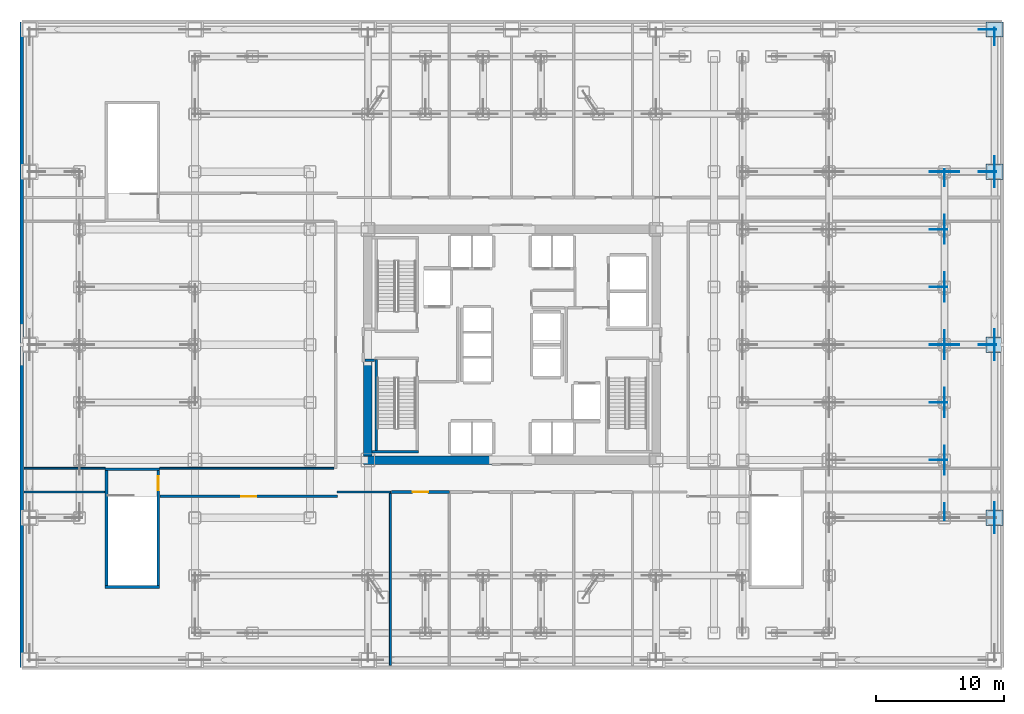
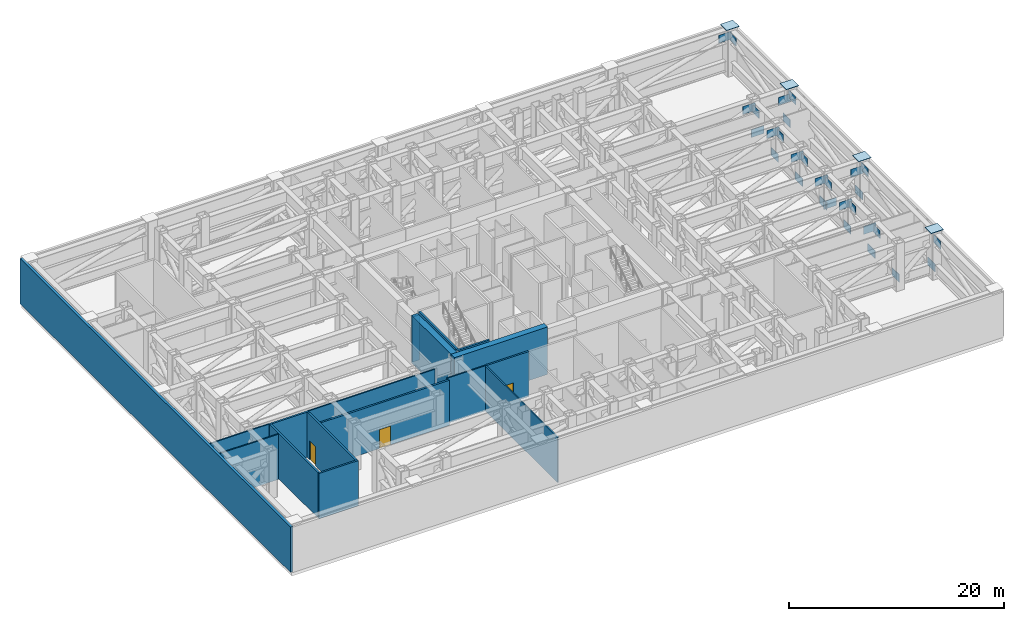
# One storey, part 9 of 17: 34 plates, 17 walls, 3 doors, 3 openings.
"""IFC4 building model written with IfcOpenShell, lengths in metres."""

import ifcopenshell
import ifcopenshell.guid

model = None  # the IFC model being written
_history = None  # IfcOwnerHistory: only IFC2X3 demands one
_inside = {}  # id of a spatial element -> (the spatial element, [elements in it])
_under = {}  # id of a project, library or spatial element -> (it, [spatial elements below it])
_declared = {}  # id of a project -> (the project, [libraries it declares])
_typed = {}  # id of a type object -> (the type object, [elements of that type])
_made_of = {}  # id of a material, layer set ... -> (it, [elements and type objects made of it])


def new_model(schema):
    """Start an empty IFC model of exactly this schema.

    Asked for "IFC4X3", IfcOpenShell would pick the latest addendum, in which some entities
    have other attributes; the version numbers below select the first issue.
    IFC2X3 requires an IfcOwnerHistory on every rooted entity: one is made here for all.
    """
    global model, _history
    if schema == "IFC4X3":
        model = ifcopenshell.file(schema_version=(4, 3, 0, 0))
    else:
        model = ifcopenshell.file(schema=schema)
    _inside.clear()
    _under.clear()
    _declared.clear()
    _typed.clear()
    _made_of.clear()
    _history = None
    if model.schema == "IFC2X3":
        org = make("IfcOrganization", Name="unknown")
        user = make(
            "IfcPersonAndOrganization",
            ThePerson=make("IfcPerson", FamilyName="unknown"),
            TheOrganization=org,
        )
        app = make(
            "IfcApplication",
            ApplicationDeveloper=org,
            Version="unknown",
            ApplicationFullName="unknown",
            ApplicationIdentifier="unknown",
        )
        _history = make(
            "IfcOwnerHistory",
            OwningUser=user,
            OwningApplication=app,
            ChangeAction="ADDED",
            CreationDate=0,
        )
    return model


def make(cls, **values):
    """One entity of the class cls with the attributes given. An attribute that is None is left unset."""
    return model.create_entity(
        cls, **{name: value for name, value in values.items() if value is not None}
    )


def rooted(cls, **values):
    """An entity with a GlobalId (a new one), such as an element, a storey or a relation."""
    return make(cls, GlobalId=ifcopenshell.guid.new(), OwnerHistory=_history, **values)


def si_unit(unit_type, name, prefix=None):
    """IfcSIUnit, for example si_unit("LENGTHUNIT", "METRE", prefix="MILLI")."""
    return make("IfcSIUnit", UnitType=unit_type, Prefix=prefix, Name=name)


def assignment(units):
    """IfcUnitAssignment: the units of a project."""
    return None if units is None else make("IfcUnitAssignment", Units=units)


def point(xyz):
    """IfcCartesianPoint."""
    return None if xyz is None else make("IfcCartesianPoint", Coordinates=xyz)


def direction(xyz):
    """IfcDirection."""
    return None if xyz is None else make("IfcDirection", DirectionRatios=xyz)


def frame(location, z_axis=None, x_axis=None):
    """IfcAxis2Placement3D, a coordinate frame: its origin and axes. An axis left out is left unset."""
    return make(
        "IfcAxis2Placement3D",
        Location=point(location),
        Axis=direction(z_axis),
        RefDirection=direction(x_axis),
    )


def frame_2d(location, x_axis=None):
    """IfcAxis2Placement2D, a coordinate frame in the plane: its origin and x axis."""
    return make(
        "IfcAxis2Placement2D", Location=point(location), RefDirection=direction(x_axis)
    )


def origin():
    """The frame at (0, 0, 0) with its axes left unset."""
    return frame((0.0, 0.0, 0.0))


def origin_2d():
    """The frame at (0, 0) in the plane with its x axis left unset."""
    return frame_2d((0.0, 0.0))


def place(relative_to, where):
    """IfcLocalPlacement: puts the frame where relative to a parent placement (None: the world)."""
    return make(
        "IfcLocalPlacement", PlacementRelTo=relative_to, RelativePlacement=where
    )


def context(
    kind, dimensions, precision=None, world=None, true_north=None, identifier=None
):
    """IfcGeometricRepresentationContext, for example the 3D "Model" context."""
    return make(
        "IfcGeometricRepresentationContext",
        ContextIdentifier=identifier,
        ContextType=kind,
        CoordinateSpaceDimension=dimensions,
        Precision=precision,
        WorldCoordinateSystem=world,
        TrueNorth=true_north,
    )


def subcontext(parent, identifier, kind, view, scale=None):
    """IfcGeometricRepresentationSubContext, for example "Body" below "Model"."""
    return make(
        "IfcGeometricRepresentationSubContext",
        ContextIdentifier=identifier,
        ContextType=kind,
        ParentContext=parent,
        TargetScale=scale,
        TargetView=view,
    )


def project(units=None, contexts=None):
    """IfcProject with its units and contexts."""
    return rooted(
        "IfcProject",
        Name="project",
        RepresentationContexts=contexts,
        UnitsInContext=assignment(units),
    )


def spatial(cls, under=None, at=None, **own):
    """A site, building, storey or space (cls), placed at a placement, below another one or the project."""
    s = rooted(cls, ObjectPlacement=at, **own)
    if under is not None:
        _under.setdefault(under.id(), (under, []))[1].append(s)
    return s


def profile(cls, at=None, kind="AREA", **sizes):
    """A parametric profile (cls). Its sizes go by their IFC names, for example OverallWidth=200.0."""
    return make(cls, ProfileType=kind, Position=at, **sizes)


def rectangle(**sizes):
    """IfcRectangleProfileDef."""
    return profile("IfcRectangleProfileDef", **sizes)


def extrude(swept, where, along, depth):
    """IfcExtrudedAreaSolid: the profile swept, set in the frame where, extruded along a direction by depth."""
    return make(
        "IfcExtrudedAreaSolid",
        SweptArea=swept,
        Position=where,
        ExtrudedDirection=direction(along),
        Depth=depth,
    )


def shape(context_of_items, identifier, shape_type, items):
    """IfcShapeRepresentation: the items that make up one representation, for example the "Body"."""
    return make(
        "IfcShapeRepresentation",
        ContextOfItems=context_of_items,
        RepresentationIdentifier=identifier,
        RepresentationType=shape_type,
        Items=items,
    )


def source(mapping_origin, context_of_items, identifier, shape_type, items):
    """IfcRepresentationMap: a shape defined once, which mapped items show again and again."""
    return make(
        "IfcRepresentationMap",
        MappingOrigin=mapping_origin,
        MappedRepresentation=shape(context_of_items, identifier, shape_type, items),
    )


def transform(
    local_origin,
    x_axis=None,
    y_axis=None,
    z_axis=None,
    scale=None,
    scale2=None,
    scale3=None,
    uniform=True,
):
    """IfcCartesianTransformationOperator3D, or its non-uniform kind. x_axis, y_axis, z_axis: its Axis1, 2, 3."""
    if uniform:
        return make(
            "IfcCartesianTransformationOperator3D",
            Axis1=direction(x_axis),
            Axis2=direction(y_axis),
            LocalOrigin=point(local_origin),
            Scale=scale,
            Axis3=direction(z_axis),
        )
    return make(
        "IfcCartesianTransformationOperator3DnonUniform",
        Axis1=direction(x_axis),
        Axis2=direction(y_axis),
        LocalOrigin=point(local_origin),
        Scale=scale,
        Axis3=direction(z_axis),
        Scale2=scale2,
        Scale3=scale3,
    )


def mapped(mapping_source, mapping_target):
    """IfcMappedItem: shows the shape of a source again, moved by a transform."""
    return make(
        "IfcMappedItem", MappingSource=mapping_source, MappingTarget=mapping_target
    )


def material(Name=None, Category=None):
    """IfcMaterial."""
    return make("IfcMaterial", Name=Name, Category=Category)


def layer(
    of_material, thickness, ventilated=None, Name=None, Category=None, Priority=None
):
    """IfcMaterialLayer: one layer of a wall or slab, of a material (None: an air gap)."""
    return make(
        "IfcMaterialLayer",
        Material=of_material,
        LayerThickness=thickness,
        IsVentilated=ventilated,
        Name=Name,
        Category=Category,
        Priority=Priority,
    )


def layer_set(layers, Name=None):
    """IfcMaterialLayerSet."""
    return make("IfcMaterialLayerSet", MaterialLayers=layers, LayerSetName=Name)


def made_of(thing, what):
    """Note that an element or type object is made of a material, layer set ...; save() writes the relation."""
    if what is not None:
        _made_of.setdefault(what.id(), (what, []))[1].append(thing)
    return thing


def type_object(cls, material=None, **own):
    """A type object (cls), such as IfcWallType, which elements share."""
    return made_of(rooted(cls, **own), material)


def element(
    cls,
    number,
    at=None,
    inside=None,
    cuts=None,
    type_object=None,
    material=None,
    context=None,
    identifier="Body",
    shape_type=None,
    held_by="IfcProductDefinitionShape",
    body=None,
    shapes=None,
    **own,
):
    """One element of the class cls, such as IfcWall. Its Tag is "e" and its number.

    at: its placement. inside: the storey or other place that contains it. cuts: it is an
    opening in that element (IfcRelVoidsElement). A single representation is given by context,
    identifier, shape_type and body (its items); several are given by shapes. held_by: the class
    of the entity that holds the representations. save() writes the other relations.
    """
    e = rooted(cls, Tag="e%d" % number, ObjectPlacement=at, **own)
    if body is not None:
        shapes = [shape(context, identifier, shape_type, body)]
    if shapes is not None:
        e.Representation = make(held_by, Representations=shapes)
    if inside is not None:
        _inside.setdefault(inside.id(), (inside, []))[1].append(e)
    if cuts is not None:
        rooted(
            "IfcRelVoidsElement", RelatingBuildingElement=cuts, RelatedOpeningElement=e
        )
    if type_object is not None:
        _typed.setdefault(type_object.id(), (type_object, []))[1].append(e)
    return made_of(e, material)


def fill(opening, filler):
    """IfcRelFillsElement: the door or window that sits in an opening."""
    return rooted(
        "IfcRelFillsElement",
        RelatingOpeningElement=opening,
        RelatedBuildingElement=filler,
    )


def aggregate(whole, parts):
    """IfcRelAggregates: a whole, such as a stair, and the parts it consists of."""
    return rooted("IfcRelAggregates", RelatingObject=whole, RelatedObjects=parts)


def save(model, path):
    """Write the relations noted so far, then the file.

    IfcRelAggregates (storeys below a building ...), IfcRelContainedInSpatialStructure (elements
    in a storey), IfcRelDefinesByType, IfcRelAssociatesMaterial and IfcRelDeclares: one each for
    every whole, place, type object, material and project.
    """
    for whole, parts in _under.values():
        aggregate(whole, parts)
    for where, things in _inside.values():
        rooted(
            "IfcRelContainedInSpatialStructure",
            RelatedElements=things,
            RelatingStructure=where,
        )
    for kind, things in _typed.values():
        rooted("IfcRelDefinesByType", RelatedObjects=things, RelatingType=kind)
    for what, things in _made_of.values():
        rooted("IfcRelAssociatesMaterial", RelatedObjects=things, RelatingMaterial=what)
    for by, libraries in _declared.values():
        rooted("IfcRelDeclares", RelatingContext=by, RelatedDefinitions=libraries)
    model.write(path)


model = new_model("IFC4")

# Units and contexts
model_context = context("Model", 3, precision=1e-05, world=origin(), true_north=direction((0.0, 1.0)))
body_context = subcontext(model_context, "Body", "Model", "MODEL_VIEW")
ifc_project = project(units=[si_unit("LENGTHUNIT", "METRE"), si_unit("AREAUNIT", "SQUARE_METRE"), si_unit("VOLUMEUNIT", "CUBIC_METRE"), si_unit("PLANEANGLEUNIT", "RADIAN"), si_unit("MASSUNIT", "GRAM", prefix="KILO")], contexts=[model_context])

# Site, building, storey
site_placement = place(None, origin())
site = spatial("IfcSite", under=ifc_project, at=site_placement, CompositionType="ELEMENT")
building_placement = place(site_placement, origin())
building = spatial("IfcBuilding", under=site, at=building_placement, Name="Nefas-Gora Pilgrimage Tower", CompositionType="ELEMENT")
storey_placement = place(building_placement, frame((0.0, 0.0, 27.60009765625)))
storey = spatial("IfcBuildingStorey", under=building, at=storey_placement, Name="L05", CompositionType="ELEMENT", Elevation=27.60009765625)

# Plates
ifc_material_1 = material(Name="Steel S460", Category="steel")
ifc_layer_1 = layer(ifc_material_1, 0.0400390625)
ifc_layer_set_1 = layer_set([ifc_layer_1], Name="Steel S460")
plate_type_1 = type_object("IfcPlateType", Name="PLT-NODE-N03", PredefinedType="USERDEFINED", material=ifc_layer_set_1)
shared_shape_1 = source(origin(), body_context, "Body", "SweptSolid", [
    extrude(rectangle(XDim=1.35009765625, YDim=0.044921875, at=origin_2d()), origin(), (0.0, 0.0, 1.0), 0.89990234375),
])
for number, where, z_axis, x_axis, name in (
    (1, (33.287109375, -9.0, 3.767333984375), (0.0, 0.0, 1.0), (1.0, 0.0, 0.0), "Structural Node Gusset Plate N03 (L05)"),
    (2, (33.287109375, -4.5, 3.767333984375), (0.0, 0.0, 1.0), (1.0, 0.0, 0.0), "Structural Node Gusset Plate N03 (L05)"),
    (3, (33.287109375, 0.0, 3.767333984375), (0.0, 0.0, 1.0), (1.0, 0.0, 0.0), "Structural Node Gusset Plate N03 (L05)"),
    (4, (33.287109375, 4.5, 3.767333984375), (0.0, 0.0, 1.0), (1.0, 0.0, 0.0), "Structural Node Gusset Plate N03 (L05)"),
    (5, (33.287109375, 9.0, 3.767333984375), (0.0, 0.0, 1.0), (1.0, 0.0, 0.0), "Structural Node Gusset Plate N03 (L05)"),
    (6, (33.287109375, 13.5, 3.767333984375), (0.0, 0.0, 1.0), (1.0, 0.0, 0.0), "Structural Node Gusset Plate N03 (L05)"),
    (7, (37.112060546875, 24.60009765625, 3.8017578125), (0.0, 0.0, 1.0), (1.0, 0.0, 0.0), "Structural Node Gusset Plate N03 (L05)"),
):
    element("IfcPlate", number, at=place(storey_placement, frame(where, z_axis=z_axis, x_axis=x_axis)), inside=storey, type_object=plate_type_1, Name=name, ObjectType="GUSSET_PLATE", PredefinedType="USERDEFINED", context=body_context, shape_type="MappedRepresentation", body=[
        mapped(shared_shape_1, transform((0.0, 0.0, 0.0), x_axis=(1.0, 0.0, 0.0), y_axis=(0.0, 1.0, 0.0), z_axis=(0.0, 0.0, 1.0), scale=1.0)),
    ])
ifc_layer_2 = layer(ifc_material_1, 0.0380859375)
ifc_layer_set_2 = layer_set([ifc_layer_2], Name="Steel S460")
plate_type_2 = type_object("IfcPlateType", Name="PLT-NODE-N02", PredefinedType="USERDEFINED", material=ifc_layer_set_2)
plate_1_placement = place(storey_placement, frame((33.75, -13.037109375, 0.76513671875), z_axis=(0.0, 0.0, 1.0), x_axis=(0.0, 1.0, 0.0)))
element("IfcPlate", 8, at=plate_1_placement, inside=storey, type_object=plate_type_2, Name="Structural Node Gusset Plate N02 (L05)", ObjectType="GUSSET_PLATE", PredefinedType="USERDEFINED", context=body_context, shape_type="MappedRepresentation", body=[
    mapped(shared_shape_1, transform((0.0, 0.0, 0.0), x_axis=(1.0, 0.0, 0.0), y_axis=(0.0, 1.0, 0.0), z_axis=(0.0, 0.0, 1.0), scale=1.0)),
])
plate_2_placement = place(storey_placement, frame((33.75, -9.462890625, 3.584716796875), z_axis=(0.0, 0.0, 1.0), x_axis=(0.0, 1.0, 0.0)))
element("IfcPlate", 9, at=plate_2_placement, inside=storey, type_object=plate_type_1, Name="Structural Node Gusset Plate N03 (L05)", ObjectType="GUSSET_PLATE", PredefinedType="USERDEFINED", context=body_context, shape_type="MappedRepresentation", body=[
    mapped(shared_shape_1, transform((0.0, 0.0, 0.0), x_axis=(1.0, 0.0, 0.0), y_axis=(0.0, 1.0, 0.0), z_axis=(0.0, 0.0, 1.0), scale=1.0)),
])
plate_3_placement = place(storey_placement, frame((33.75, -8.537109375, 0.76513671875), z_axis=(0.0, 0.0, 1.0), x_axis=(0.0, 1.0, 0.0)))
element("IfcPlate", 10, at=plate_3_placement, inside=storey, type_object=plate_type_2, Name="Structural Node Gusset Plate N02 (L05)", ObjectType="GUSSET_PLATE", PredefinedType="USERDEFINED", context=body_context, shape_type="MappedRepresentation", body=[
    mapped(shared_shape_1, transform((0.0, 0.0, 0.0), x_axis=(1.0, 0.0, 0.0), y_axis=(0.0, 1.0, 0.0), z_axis=(0.0, 0.0, 1.0), scale=1.0)),
])
plate_4_placement = place(storey_placement, frame((33.75, -4.962890625, 3.584716796875), z_axis=(0.0, 0.0, 1.0), x_axis=(0.0, 1.0, 0.0)))
element("IfcPlate", 11, at=plate_4_placement, inside=storey, type_object=plate_type_1, Name="Structural Node Gusset Plate N03 (L05)", ObjectType="GUSSET_PLATE", PredefinedType="USERDEFINED", context=body_context, shape_type="MappedRepresentation", body=[
    mapped(shared_shape_1, transform((0.0, 0.0, 0.0), x_axis=(1.0, 0.0, 0.0), y_axis=(0.0, 1.0, 0.0), z_axis=(0.0, 0.0, 1.0), scale=1.0)),
])
plate_5_placement = place(storey_placement, frame((33.75, -4.037109375, 0.76513671875), z_axis=(0.0, 0.0, 1.0), x_axis=(0.0, 1.0, 0.0)))
element("IfcPlate", 12, at=plate_5_placement, inside=storey, type_object=plate_type_2, Name="Structural Node Gusset Plate N02 (L05)", ObjectType="GUSSET_PLATE", PredefinedType="USERDEFINED", context=body_context, shape_type="MappedRepresentation", body=[
    mapped(shared_shape_1, transform((0.0, 0.0, 0.0), x_axis=(1.0, 0.0, 0.0), y_axis=(0.0, 1.0, 0.0), z_axis=(0.0, 0.0, 1.0), scale=1.0)),
])
plate_6_placement = place(storey_placement, frame((33.75, -0.462890625, 3.584716796875), z_axis=(0.0, 0.0, 1.0), x_axis=(0.0, 1.0, 0.0)))
element("IfcPlate", 13, at=plate_6_placement, inside=storey, type_object=plate_type_1, Name="Structural Node Gusset Plate N03 (L05)", ObjectType="GUSSET_PLATE", PredefinedType="USERDEFINED", context=body_context, shape_type="MappedRepresentation", body=[
    mapped(shared_shape_1, transform((0.0, 0.0, 0.0), x_axis=(1.0, 0.0, 0.0), y_axis=(0.0, 1.0, 0.0), z_axis=(0.0, 0.0, 1.0), scale=1.0)),
])
plate_7_placement = place(storey_placement, frame((33.75, 0.462890625, 0.76513671875), z_axis=(0.0, 0.0, 1.0), x_axis=(0.0, 1.0, 0.0)))
element("IfcPlate", 14, at=plate_7_placement, inside=storey, type_object=plate_type_2, Name="Structural Node Gusset Plate N02 (L05)", ObjectType="GUSSET_PLATE", PredefinedType="USERDEFINED", context=body_context, shape_type="MappedRepresentation", body=[
    mapped(shared_shape_1, transform((0.0, 0.0, 0.0), x_axis=(1.0, 0.0, 0.0), y_axis=(0.0, 1.0, 0.0), z_axis=(0.0, 0.0, 1.0), scale=1.0)),
])
plate_8_placement = place(storey_placement, frame((33.75, 4.037109375, 3.584716796875), z_axis=(0.0, 0.0, 1.0), x_axis=(0.0, 1.0, 0.0)))
element("IfcPlate", 15, at=plate_8_placement, inside=storey, type_object=plate_type_1, Name="Structural Node Gusset Plate N03 (L05)", ObjectType="GUSSET_PLATE", PredefinedType="USERDEFINED", context=body_context, shape_type="MappedRepresentation", body=[
    mapped(shared_shape_1, transform((0.0, 0.0, 0.0), x_axis=(1.0, 0.0, 0.0), y_axis=(0.0, 1.0, 0.0), z_axis=(0.0, 0.0, 1.0), scale=1.0)),
])
plate_9_placement = place(storey_placement, frame((34.212890625, 0.0, 0.8212890625), z_axis=(0.0, 0.0, 1.0), x_axis=(1.0, 0.0, 0.0)))
element("IfcPlate", 16, at=plate_9_placement, inside=storey, type_object=plate_type_2, Name="Structural Node Gusset Plate N02 (L05)", ObjectType="GUSSET_PLATE", PredefinedType="USERDEFINED", context=body_context, shape_type="MappedRepresentation", body=[
    mapped(shared_shape_1, transform((0.0, 0.0, 0.0), x_axis=(1.0, 0.0, 0.0), y_axis=(0.0, 1.0, 0.0), z_axis=(0.0, 0.0, 1.0), scale=1.0)),
])
plate_10_placement = place(storey_placement, frame((37.112060546875, 0.0, 3.460205078125), z_axis=(0.0, 0.0, 1.0), x_axis=(1.0, 0.0, 0.0)))
element("IfcPlate", 17, at=plate_10_placement, inside=storey, type_object=plate_type_1, Name="Structural Node Gusset Plate N03 (L05)", ObjectType="GUSSET_PLATE", PredefinedType="USERDEFINED", context=body_context, shape_type="MappedRepresentation", body=[
    mapped(shared_shape_1, transform((0.0, 0.0, 0.0), x_axis=(1.0, 0.0, 0.0), y_axis=(0.0, 1.0, 0.0), z_axis=(0.0, 0.0, 1.0), scale=1.0)),
])
plate_11_placement = place(storey_placement, frame((33.75, 4.962890625, 0.76513671875), z_axis=(0.0, 0.0, 1.0), x_axis=(0.0, 1.0, 0.0)))
element("IfcPlate", 18, at=plate_11_placement, inside=storey, type_object=plate_type_2, Name="Structural Node Gusset Plate N02 (L05)", ObjectType="GUSSET_PLATE", PredefinedType="USERDEFINED", context=body_context, shape_type="MappedRepresentation", body=[
    mapped(shared_shape_1, transform((0.0, 0.0, 0.0), x_axis=(1.0, 0.0, 0.0), y_axis=(0.0, 1.0, 0.0), z_axis=(0.0, 0.0, 1.0), scale=1.0)),
])
plate_12_placement = place(storey_placement, frame((33.75, 8.537109375, 3.584716796875), z_axis=(0.0, 0.0, 1.0), x_axis=(0.0, 1.0, 0.0)))
element("IfcPlate", 19, at=plate_12_placement, inside=storey, type_object=plate_type_1, Name="Structural Node Gusset Plate N03 (L05)", ObjectType="GUSSET_PLATE", PredefinedType="USERDEFINED", context=body_context, shape_type="MappedRepresentation", body=[
    mapped(shared_shape_1, transform((0.0, 0.0, 0.0), x_axis=(1.0, 0.0, 0.0), y_axis=(0.0, 1.0, 0.0), z_axis=(0.0, 0.0, 1.0), scale=1.0)),
])
plate_13_placement = place(storey_placement, frame((33.75, 9.462890625, 0.76513671875), z_axis=(0.0, 0.0, 1.0), x_axis=(0.0, 1.0, 0.0)))
element("IfcPlate", 20, at=plate_13_placement, inside=storey, type_object=plate_type_2, Name="Structural Node Gusset Plate N02 (L05)", ObjectType="GUSSET_PLATE", PredefinedType="USERDEFINED", context=body_context, shape_type="MappedRepresentation", body=[
    mapped(shared_shape_1, transform((0.0, 0.0, 0.0), x_axis=(1.0, 0.0, 0.0), y_axis=(0.0, 1.0, 0.0), z_axis=(0.0, 0.0, 1.0), scale=1.0)),
])
plate_14_placement = place(storey_placement, frame((33.75, 13.037109375, 3.584716796875), z_axis=(0.0, 0.0, 1.0), x_axis=(0.0, 1.0, 0.0)))
element("IfcPlate", 21, at=plate_14_placement, inside=storey, type_object=plate_type_1, Name="Structural Node Gusset Plate N03 (L05)", ObjectType="GUSSET_PLATE", PredefinedType="USERDEFINED", context=body_context, shape_type="MappedRepresentation", body=[
    mapped(shared_shape_1, transform((0.0, 0.0, 0.0), x_axis=(1.0, 0.0, 0.0), y_axis=(0.0, 1.0, 0.0), z_axis=(0.0, 0.0, 1.0), scale=1.0)),
])
plate_15_placement = place(storey_placement, frame((34.212890625, 13.5, 0.8212890625), z_axis=(0.0, 0.0, 1.0), x_axis=(1.0, 0.0, 0.0)))
element("IfcPlate", 22, at=plate_15_placement, inside=storey, type_object=plate_type_2, Name="Structural Node Gusset Plate N02 (L05)", ObjectType="GUSSET_PLATE", PredefinedType="USERDEFINED", context=body_context, shape_type="MappedRepresentation", body=[
    mapped(shared_shape_1, transform((0.0, 0.0, 0.0), x_axis=(1.0, 0.0, 0.0), y_axis=(0.0, 1.0, 0.0), z_axis=(0.0, 0.0, 1.0), scale=1.0)),
])
for number, where, z_axis, x_axis, name in (
    (23, (37.112060546875, 13.5, 3.460205078125), (0.0, 0.0, 1.0), (1.0, 0.0, 0.0), "Structural Node Gusset Plate N03 (L05)"),
    (24, (37.64990234375, -14.0380859375, 3.77783203125), (0.0, 0.0, 1.0), (0.0, 1.0, 0.0), "Structural Node Gusset Plate N03 (L05)"),
):
    element("IfcPlate", number, at=place(storey_placement, frame(where, z_axis=z_axis, x_axis=x_axis)), inside=storey, type_object=plate_type_1, Name=name, ObjectType="GUSSET_PLATE", PredefinedType="USERDEFINED", context=body_context, shape_type="MappedRepresentation", body=[
        mapped(shared_shape_1, transform((0.0, 0.0, 0.0), x_axis=(1.0, 0.0, 0.0), y_axis=(0.0, 1.0, 0.0), z_axis=(0.0, 0.0, 1.0), scale=1.0)),
    ])
plate_16_placement = place(storey_placement, frame((37.64990234375, -12.9619140625, 0.54150390625), z_axis=(0.0, 0.0, 1.0), x_axis=(0.0, 1.0, 0.0)))
element("IfcPlate", 25, at=plate_16_placement, inside=storey, type_object=plate_type_2, Name="Structural Node Gusset Plate N02 (L05)", ObjectType="GUSSET_PLATE", PredefinedType="USERDEFINED", context=body_context, shape_type="MappedRepresentation", body=[
    mapped(shared_shape_1, transform((0.0, 0.0, 0.0), x_axis=(1.0, 0.0, 0.0), y_axis=(0.0, 1.0, 0.0), z_axis=(0.0, 0.0, 1.0), scale=1.0)),
])
plate_17_placement = place(storey_placement, frame((37.64990234375, -0.5380859375, 3.808349609375), z_axis=(0.0, 0.0, 1.0), x_axis=(0.0, 1.0, 0.0)))
element("IfcPlate", 26, at=plate_17_placement, inside=storey, type_object=plate_type_1, Name="Structural Node Gusset Plate N03 (L05)", ObjectType="GUSSET_PLATE", PredefinedType="USERDEFINED", context=body_context, shape_type="MappedRepresentation", body=[
    mapped(shared_shape_1, transform((0.0, 0.0, 0.0), x_axis=(1.0, 0.0, 0.0), y_axis=(0.0, 1.0, 0.0), z_axis=(0.0, 0.0, 1.0), scale=1.0)),
])
plate_18_placement = place(storey_placement, frame((37.64990234375, 0.5380859375, 0.54150390625), z_axis=(0.0, 0.0, 1.0), x_axis=(0.0, 1.0, 0.0)))
element("IfcPlate", 27, at=plate_18_placement, inside=storey, type_object=plate_type_2, Name="Structural Node Gusset Plate N02 (L05)", ObjectType="GUSSET_PLATE", PredefinedType="USERDEFINED", context=body_context, shape_type="MappedRepresentation", body=[
    mapped(shared_shape_1, transform((0.0, 0.0, 0.0), x_axis=(1.0, 0.0, 0.0), y_axis=(0.0, 1.0, 0.0), z_axis=(0.0, 0.0, 1.0), scale=1.0)),
])
plate_19_placement = place(storey_placement, frame((37.64990234375, 12.9619140625, 3.808349609375), z_axis=(0.0, 0.0, 1.0), x_axis=(0.0, 1.0, 0.0)))
element("IfcPlate", 28, at=plate_19_placement, inside=storey, type_object=plate_type_1, Name="Structural Node Gusset Plate N03 (L05)", ObjectType="GUSSET_PLATE", PredefinedType="USERDEFINED", context=body_context, shape_type="MappedRepresentation", body=[
    mapped(shared_shape_1, transform((0.0, 0.0, 0.0), x_axis=(1.0, 0.0, 0.0), y_axis=(0.0, 1.0, 0.0), z_axis=(0.0, 0.0, 1.0), scale=1.0)),
])
plate_20_placement = place(storey_placement, frame((37.64990234375, 14.0380859375, 0.572021484375), z_axis=(0.0, 0.0, 1.0), x_axis=(0.0, 1.0, 0.0)))
element("IfcPlate", 29, at=plate_20_placement, inside=storey, type_object=plate_type_2, Name="Structural Node Gusset Plate N02 (L05)", ObjectType="GUSSET_PLATE", PredefinedType="USERDEFINED", context=body_context, shape_type="MappedRepresentation", body=[
    mapped(shared_shape_1, transform((0.0, 0.0, 0.0), x_axis=(1.0, 0.0, 0.0), y_axis=(0.0, 1.0, 0.0), z_axis=(0.0, 0.0, 1.0), scale=1.0)),
])
plate_21_placement = place(storey_placement, frame((37.64990234375, 24.06201171875, 3.77783203125), z_axis=(0.0, 0.0, 1.0), x_axis=(0.0, 1.0, 0.0)))
element("IfcPlate", 30, at=plate_21_placement, inside=storey, type_object=plate_type_1, Name="Structural Node Gusset Plate N03 (L05)", ObjectType="GUSSET_PLATE", PredefinedType="USERDEFINED", context=body_context, shape_type="MappedRepresentation", body=[
    mapped(shared_shape_1, transform((0.0, 0.0, 0.0), x_axis=(1.0, 0.0, 0.0), y_axis=(0.0, 1.0, 0.0), z_axis=(0.0, 0.0, 1.0), scale=1.0)),
])
ifc_layer_3 = layer(ifc_material_1, 0.0400390625)
ifc_layer_set_3 = layer_set([ifc_layer_3], Name="Steel S460")
plate_type_3 = type_object("IfcPlateType", Name="PLT-ENDCAP-40", PredefinedType="SHEET", material=ifc_layer_set_3)
shared_shape_2 = source(origin(), body_context, "Body", "SweptSolid", [
    extrude(rectangle(XDim=1.342041015625, YDim=1.179931640625, at=origin_2d()), origin(), (0.0, 0.0, 1.0), 0.050048828125),
])
for number, where, z_axis, x_axis, name in (
    (31, (37.64990234375, -13.5, 5.375), (0.0, 0.0, 1.0), (1.0, 0.0, 0.0), "L05 Setback Hollow Column Top Cap Plate 17"),
    (32, (37.64990234375, 0.0, 5.375), (0.0, 0.0, 1.0), (1.0, 0.0, 0.0), "L05 Setback Hollow Column Top Cap Plate 18"),
    (33, (37.64990234375, 13.5, 5.375), (0.0, 0.0, 1.0), (1.0, 0.0, 0.0), "L05 Setback Hollow Column Top Cap Plate 19"),
    (34, (37.64990234375, 24.60009765625, 5.375), (0.0, 0.0, 1.0), (1.0, 0.0, 0.0), "L05 Setback Hollow Column Top Cap Plate 20"),
):
    element("IfcPlate", number, at=place(storey_placement, frame(where, z_axis=z_axis, x_axis=x_axis)), inside=storey, type_object=plate_type_3, Name=name, PredefinedType="SHEET", context=body_context, shape_type="MappedRepresentation", body=[
        mapped(shared_shape_2, transform((0.0, 0.0, 0.0), x_axis=(1.0, 0.0, 0.0), y_axis=(0.0, 1.0, 0.0), z_axis=(0.0, 0.0, 1.0), scale=1.0)),
    ])

# Walls
ifc_material_2 = material(Name="Concrete C60/75", Category="concrete")
ifc_layer_4 = layer(ifc_material_2, 0.64990234375)
ifc_layer_set_4 = layer_set([ifc_layer_4], Name="Concrete C60/75")
wall_type_1 = type_object("IfcWallType", Name="SW-CORE-650", PredefinedType="SHEAR", material=ifc_layer_set_4)
shared_shape_3 = source(origin(), body_context, "Body", "SweptSolid", [
    extrude(rectangle(XDim=10.02490234375, YDim=0.64990234375, at=frame_2d((5.012451171875, 0.0))), origin(), (0.0, 0.0, 1.0), 5.39990234375),
])
wall_1_placement = place(storey_placement, frame((-11.574951171875, -9.0, 0.0), z_axis=(0.0, 0.0, 1.0), x_axis=(1.0, 0.0, 0.0)))
element("IfcWall", 35, at=wall_1_placement, inside=storey, type_object=wall_type_1, Name="L05 Core Shear Wall S-West", PredefinedType="SHEAR", context=body_context, shape_type="MappedRepresentation", body=[
    mapped(shared_shape_3, transform((0.0, 0.0, 0.0), x_axis=(1.0, 0.0, 0.0), y_axis=(0.0, 1.0, 0.0), z_axis=(0.0, 0.0, 1.0), scale=1.0)),
])
shared_shape_4 = source(origin(), body_context, "Body", "SweptSolid", [
    extrude(rectangle(XDim=7.324951171875, YDim=0.64990234375, at=frame_2d((3.66259765625, 0.0))), origin(), (0.0, 0.0, 1.0), 5.39990234375),
])
wall_2_placement = place(storey_placement, frame((-11.25, -8.675048828125, 0.0), z_axis=(0.0, 0.0, 1.0), x_axis=(0.0, 1.0, 0.0)))
element("IfcWall", 36, at=wall_2_placement, inside=storey, type_object=wall_type_1, Name="L05 Core Shear Wall W-South", PredefinedType="SHEAR", context=body_context, shape_type="MappedRepresentation", body=[
    mapped(shared_shape_4, transform((0.0, 0.0, 0.0), x_axis=(1.0, 0.0, 0.0), y_axis=(0.0, 1.0, 0.0), z_axis=(0.0, 0.0, 1.0), scale=1.0)),
])
ifc_material_3 = material(Name="Precast concrete C45/55", Category="concrete")
ifc_layer_5 = layer(ifc_material_3, 0.280029296875)
ifc_layer_set_5 = layer_set([ifc_layer_5], Name="Precast concrete C45/55")
wall_type_2 = type_object("IfcWallType", Name="EW-PLANT-280", PredefinedType="SOLIDWALL", material=ifc_layer_set_5)
shared_shape_5 = source(origin(), body_context, "Body", "SweptSolid", [
    extrude(rectangle(XDim=50.39990234375, YDim=0.280029296875, at=frame_2d((25.199951171875, 0.0))), origin(), (0.0, 0.0, 1.0), 5.14990234375),
])
wall_3_placement = place(storey_placement, frame((-38.25, 25.199951171875, 0.0), z_axis=(0.0, 0.0, 1.0), x_axis=(0.0, -1.0, 0.0)))
element("IfcWall", 37, at=wall_3_placement, inside=storey, type_object=wall_type_2, Name="L05 Transfer Deck Precast Spandrel Cladding 3", PredefinedType="SOLIDWALL", context=body_context, shape_type="MappedRepresentation", body=[
    mapped(shared_shape_5, transform((0.0, 0.0, 0.0), x_axis=(1.0, 0.0, 0.0), y_axis=(0.0, 1.0, 0.0), z_axis=(0.0, 0.0, 1.0), scale=1.0)),
])
ifc_material_4 = material(Name="Concrete C45/55", Category="concrete")
ifc_layer_6 = layer(ifc_material_4, 0.199951171875)
ifc_layer_set_6 = layer_set([ifc_layer_6], Name="Concrete C45/55")
wall_type_3 = type_object("IfcWallType", Name="IW-STAIR-200", PredefinedType="SOLIDWALL", material=ifc_layer_set_6)
shared_shape_6 = source(origin(), body_context, "Body", "SweptSolid", [
    extrude(rectangle(XDim=3.6298828125, YDim=0.199951171875, at=frame_2d((1.81494140625, 0.0))), origin(), (0.0, 0.0, 1.0), 5.39990234375),
])
wall_4_placement = place(storey_placement, frame((-10.929931640625, -8.35009765625, 0.0), z_axis=(0.0, 0.0, 1.0), x_axis=(1.0, 0.0, 0.0)))
element("IfcWall", 38, at=wall_4_placement, inside=storey, type_object=wall_type_3, Name="L05 Stairwell Shear Wall ST-03-far", PredefinedType="SOLIDWALL", context=body_context, shape_type="MappedRepresentation", body=[
    mapped(shared_shape_6, transform((0.0, 0.0, 0.0), x_axis=(1.0, 0.0, 0.0), y_axis=(0.0, 1.0, 0.0), z_axis=(0.0, 0.0, 1.0), scale=1.0)),
])
shared_shape_7 = source(origin(), body_context, "Body", "SweptSolid", [
    extrude(rectangle(XDim=7.10009765625, YDim=0.199951171875, at=frame_2d((3.550048828125, 0.0))), origin(), (0.0, 0.0, 1.0), 5.39990234375),
])
wall_5_placement = place(storey_placement, frame((-10.60009765625, -1.14990234375, 0.0), z_axis=(0.0, 0.0, 1.0), x_axis=(0.0, -1.0, 0.0)))
element("IfcWall", 39, at=wall_5_placement, inside=storey, type_object=wall_type_3, Name="L05 Stairwell Shear Wall ST-03-left", PredefinedType="SOLIDWALL", context=body_context, shape_type="MappedRepresentation", body=[
    mapped(shared_shape_7, transform((0.0, 0.0, 0.0), x_axis=(1.0, 0.0, 0.0), y_axis=(0.0, 1.0, 0.0), z_axis=(0.0, 0.0, 1.0), scale=1.0)),
])
shared_shape_8 = source(origin(), body_context, "Body", "SweptSolid", [
    extrude(rectangle(XDim=4.239990234375, YDim=0.199951171875, at=frame_2d((2.1201171875, 0.0))), origin(), (0.0, 0.0, 1.0), 5.14990234375),
])
for number, where, z_axis, x_axis, name in (
    (40, (-31.739990234375, -9.699951171875, 0.0), (0.0, 0.0, 1.0), (1.0, 0.0, 0.0), "L05 Stairwell Shear Wall ST-05-near"),
    (41, (-31.739990234375, -18.89990234375, 0.0), (0.0, 0.0, 1.0), (1.0, 0.0, 0.0), "L05 Stairwell Shear Wall ST-05-far"),
):
    element("IfcWall", number, at=place(storey_placement, frame(where, z_axis=z_axis, x_axis=x_axis)), inside=storey, type_object=wall_type_3, Name=name, PredefinedType="SOLIDWALL", context=body_context, shape_type="MappedRepresentation", body=[
        mapped(shared_shape_8, transform((0.0, 0.0, 0.0), x_axis=(1.0, 0.0, 0.0), y_axis=(0.0, 1.0, 0.0), z_axis=(0.0, 0.0, 1.0), scale=1.0)),
    ])
shared_shape_9 = source(origin(), body_context, "Body", "SweptSolid", [
    extrude(rectangle(XDim=9.0, YDim=0.199951171875, at=frame_2d((4.5, 0.0))), origin(), (0.0, 0.0, 1.0), 5.14990234375),
])
wall_6_placement = place(storey_placement, frame((-31.639892578125, -9.800048828125, 0.0), z_axis=(0.0, 0.0, 1.0), x_axis=(0.0, -1.0, 0.0)))
element("IfcWall", 42, at=wall_6_placement, inside=storey, type_object=wall_type_3, Name="L05 Stairwell Shear Wall ST-05-left", PredefinedType="SOLIDWALL", context=body_context, shape_type="MappedRepresentation", body=[
    mapped(shared_shape_9, transform((0.0, 0.0, 0.0), x_axis=(1.0, 0.0, 0.0), y_axis=(0.0, 1.0, 0.0), z_axis=(0.0, 0.0, 1.0), scale=1.0)),
])

# Wall, opening, door
wall_7_placement = place(storey_placement, frame((-27.60009765625, -9.800048828125, 0.0), z_axis=(0.0, 0.0, 1.0), x_axis=(0.0, -1.0, 0.0)))
wall_7 = element("IfcWall", 43, at=wall_7_placement, inside=storey, type_object=wall_type_3, Name="L05 Stairwell Shear Wall ST-05-right", PredefinedType="SOLIDWALL", context=body_context, shape_type="MappedRepresentation", body=[
    mapped(shared_shape_9, transform((0.0, 0.0, 0.0), x_axis=(1.0, 0.0, 0.0), y_axis=(0.0, 1.0, 0.0), z_axis=(0.0, 0.0, 1.0), scale=1.0)),
])
opening_1_placement = place(wall_7_placement, frame((0.449951171875, 0.0, 0.0)))
opening_1 = element("IfcOpeningElement", 44, at=opening_1_placement, cuts=wall_7, Name="Opening ID-ST1", PredefinedType="OPENING", context=body_context, shape_type="SweptSolid", body=[
    extrude(rectangle(XDim=1.10009765625, YDim=2.14990234375, at=frame_2d((0.550048828125, 1.074951171875))), frame((0.0, 0.10986328125, 0.0), z_axis=(0.0, -1.0, 0.0), x_axis=(1.0, 0.0, 0.0)), (0.0, 0.0, 1.0), 0.219970703125),
])
ifc_material_5 = material(Name="Painted galvanised steel fire stair door", Category="steel")
door_type_1 = type_object("IfcDoorType", Name="DR-INT-STAIR-1100", OperationType="NOTDEFINED", PredefinedType="DOOR", material=ifc_material_5)
shared_shape_10 = source(origin(), body_context, "Body", "SweptSolid", [
    extrude(rectangle(XDim=1.10009765625, YDim=2.14990234375, at=frame_2d((0.550048828125, 1.074951171875))), frame((0.0, 0.02490234375, 0.0), z_axis=(0.0, -1.0, 0.0), x_axis=(1.0, 0.0, 0.0)), (0.0, 0.0, 1.0), 0.050048828125),
])
door_1_placement = place(opening_1_placement, origin())
door_1 = element("IfcDoor", 45, at=door_1_placement, inside=storey, type_object=door_type_1, Name="L05 Protected Exit Stair Door ST-05", OperationType="SINGLE_SWING_LEFT", OverallHeight=2.14990234375, OverallWidth=1.10009765625, PredefinedType="DOOR", context=body_context, shape_type="MappedRepresentation", body=[
    mapped(shared_shape_10, transform((0.0, 0.0, 0.0), x_axis=(1.0, 0.0, 0.0), y_axis=(0.0, 1.0, 0.0), z_axis=(0.0, 0.0, 1.0), scale=1.0)),
])
fill(opening_1, door_1)

# Walls
ifc_material_6 = material(Name="Gypsum fire-rated shaftwall")
ifc_layer_7 = layer(ifc_material_6, 0.199951171875)
ifc_layer_set_7 = layer_set([ifc_layer_7], Name="Gypsum fire-rated shaftwall")
wall_type_4 = type_object("IfcWallType", Name="IW-FFLOB-200", PredefinedType="PARTITIONING", material=ifc_layer_set_7)
shared_shape_11 = source(origin(), body_context, "Body", "SweptSolid", [
    extrude(rectangle(XDim=0.719970703125, YDim=0.199951171875, at=frame_2d((0.35986328125, 0.0))), origin(), (0.0, 0.0, 1.0), 5.135009765625),
])
wall_8_placement = place(storey_placement, frame((-11.4599609375, -1.219970703125, 0.0), z_axis=(0.0, 0.0, 1.0), x_axis=(1.0, 0.0, 0.0)))
element("IfcWall", 46, at=wall_8_placement, inside=storey, type_object=wall_type_4, Name="L05 FF Lobby West Throat S Wall 7", PredefinedType="PARTITIONING", context=body_context, shape_type="MappedRepresentation", body=[
    mapped(shared_shape_11, transform((0.0, 0.0, 0.0), x_axis=(1.0, 0.0, 0.0), y_axis=(0.0, 1.0, 0.0), z_axis=(0.0, 0.0, 1.0), scale=1.0)),
])
ifc_material_7 = material(Name="Gypsum twin-stud partition")
ifc_layer_8 = layer(ifc_material_7, 0.139892578125)
ifc_layer_set_8 = layer_set([ifc_layer_8], Name="Gypsum twin-stud partition")
wall_type_5 = type_object("IfcWallType", Name="IW-UNIT-140", PredefinedType="PARTITIONING", material=ifc_layer_set_8)
shared_shape_12 = source(origin(), body_context, "Body", "SweptSolid", [
    extrude(rectangle(XDim=6.324951171875, YDim=0.139892578125, at=frame_2d((3.16259765625, 0.0))), origin(), (0.0, 0.0, 1.0), 5.135009765625),
])
wall_9_placement = place(storey_placement, frame((-38.070068359375, -9.6298828125, 0.0), z_axis=(0.0, 0.0, 1.0), x_axis=(1.0, 0.0, 0.0)))
element("IfcWall", 47, at=wall_9_placement, inside=storey, type_object=wall_type_5, Name="L05 Refuge Area West Partition Wall 20", PredefinedType="PARTITIONING", context=body_context, shape_type="MappedRepresentation", body=[
    mapped(shared_shape_12, transform((0.0, 0.0, 0.0), x_axis=(1.0, 0.0, 0.0), y_axis=(0.0, 1.0, 0.0), z_axis=(0.0, 0.0, 1.0), scale=1.0)),
])
shared_shape_13 = source(origin(), body_context, "Body", "SweptSolid", [
    extrude(rectangle(XDim=13.605224609375, YDim=0.139892578125, at=frame_2d((6.802734375, 0.0))), origin(), (0.0, 0.0, 1.0), 5.135009765625),
])
wall_10_placement = place(storey_placement, frame((-27.4951171875, -9.6298828125, 0.0), z_axis=(0.0, 0.0, 1.0), x_axis=(1.0, 0.0, 0.0)))
element("IfcWall", 48, at=wall_10_placement, inside=storey, type_object=wall_type_5, Name="L05 Refuge Area West Partition Wall 21", PredefinedType="PARTITIONING", context=body_context, shape_type="MappedRepresentation", body=[
    mapped(shared_shape_13, transform((0.0, 0.0, 0.0), x_axis=(1.0, 0.0, 0.0), y_axis=(0.0, 1.0, 0.0), z_axis=(0.0, 0.0, 1.0), scale=1.0)),
])

# Wall, opening, door
ifc_material_8 = material(Name="Concrete C40/50", Category="concrete")
ifc_layer_9 = layer(ifc_material_8, 0.199951171875)
ifc_layer_set_9 = layer_set([ifc_layer_9], Name="Concrete C40/50")
wall_type_6 = type_object("IfcWallType", Name="IW-PLANT-200", PredefinedType="SOLIDWALL", material=ifc_layer_set_9)
shared_shape_14 = source(origin(), body_context, "Body", "SweptSolid", [
    extrude(rectangle(XDim=13.83984375, YDim=0.199951171875, at=frame_2d((6.919921875, 0.0))), origin(), (0.0, 0.0, 1.0), 5.135009765625),
])
wall_11_placement = place(storey_placement, frame((-27.4599609375, -11.830078125, 0.0), z_axis=(0.0, 0.0, 1.0), x_axis=(1.0, 0.0, 0.0)))
wall_11 = element("IfcWall", 49, at=wall_11_placement, inside=storey, type_object=wall_type_6, Name="L05 Stair Smoke Pressurisation Fan Plant Room Partition Wall 41", PredefinedType="SOLIDWALL", context=body_context, shape_type="MappedRepresentation", body=[
    mapped(shared_shape_14, transform((0.0, 0.0, 0.0), x_axis=(1.0, 0.0, 0.0), y_axis=(0.0, 1.0, 0.0), z_axis=(0.0, 0.0, 1.0), scale=1.0)),
])
opening_2_placement = place(wall_11_placement, frame((6.320068359375, 0.0, 0.0)))
opening_2 = element("IfcOpeningElement", 50, at=opening_2_placement, cuts=wall_11, Name="Opening ID-PL1", PredefinedType="OPENING", context=body_context, shape_type="SweptSolid", body=[
    extrude(rectangle(XDim=1.199951171875, YDim=2.14990234375, at=frame_2d((0.60009765625, 1.074951171875))), frame((0.0, 0.10986328125, 0.0), z_axis=(0.0, -1.0, 0.0), x_axis=(1.0, 0.0, 0.0)), (0.0, 0.0, 1.0), 0.219970703125),
])
ifc_material_9 = material(Name="Heavy-duty steel plant room fire door", Category="steel")
door_type_2 = type_object("IfcDoorType", Name="DR-INT-PLANT-1200", OperationType="NOTDEFINED", PredefinedType="DOOR", material=ifc_material_9)
shared_shape_15 = source(origin(), body_context, "Body", "SweptSolid", [
    extrude(rectangle(XDim=1.199951171875, YDim=2.14990234375, at=frame_2d((0.60009765625, 1.074951171875))), frame((0.0, 0.02490234375, 0.0), z_axis=(0.0, -1.0, 0.0), x_axis=(1.0, 0.0, 0.0)), (0.0, 0.0, 1.0), 0.050048828125),
])
door_2_placement = place(opening_2_placement, origin())
door_2 = element("IfcDoor", 51, at=door_2_placement, inside=storey, type_object=door_type_2, Name="L05 Stair Smoke Pressurisation Fan Plant Room Door 15", OperationType="SINGLE_SWING_LEFT", OverallHeight=2.14990234375, OverallWidth=1.199951171875, PredefinedType="DOOR", context=body_context, shape_type="MappedRepresentation", body=[
    mapped(shared_shape_15, transform((0.0, 0.0, 0.0), x_axis=(1.0, 0.0, 0.0), y_axis=(0.0, 1.0, 0.0), z_axis=(0.0, 0.0, 1.0), scale=1.0)),
])
fill(opening_2, door_2)

# Walls
shared_shape_16 = source(origin(), body_context, "Body", "SweptSolid", [
    extrude(rectangle(XDim=4.159912109375, YDim=0.139892578125, at=frame_2d((2.080078125, 0.0))), origin(), (0.0, 0.0, 1.0), 5.135009765625),
])
wall_12_placement = place(storey_placement, frame((-13.639892578125, -11.489990234375, 0.0), z_axis=(0.0, 0.0, 1.0), x_axis=(1.0, 0.0, 0.0)))
element("IfcWall", 52, at=wall_12_placement, inside=storey, type_object=wall_type_5, Name="L05 Stair Smoke Pressurisation Fan Plant Room Partition Wall 42", PredefinedType="PARTITIONING", context=body_context, shape_type="MappedRepresentation", body=[
    mapped(shared_shape_16, transform((0.0, 0.0, 0.0), x_axis=(1.0, 0.0, 0.0), y_axis=(0.0, 1.0, 0.0), z_axis=(0.0, 0.0, 1.0), scale=1.0)),
])
shared_shape_17 = source(origin(), body_context, "Body", "SweptSolid", [
    extrude(rectangle(XDim=13.419921875, YDim=0.139892578125, at=frame_2d((6.7099609375, 0.0))), origin(), (0.0, 0.0, 1.0), 5.135009765625),
])
wall_13_placement = place(storey_placement, frame((-9.489990234375, -25.02001953125, 0.0), z_axis=(0.0, 0.0, 1.0), x_axis=(0.0, 1.0, 0.0)))
element("IfcWall", 53, at=wall_13_placement, inside=storey, type_object=wall_type_5, Name="L05 Stair Smoke Pressurisation Fan Plant Room Partition Wall 43", PredefinedType="PARTITIONING", context=body_context, shape_type="MappedRepresentation", body=[
    mapped(shared_shape_17, transform((0.0, 0.0, 0.0), x_axis=(1.0, 0.0, 0.0), y_axis=(0.0, 1.0, 0.0), z_axis=(0.0, 0.0, 1.0), scale=1.0)),
])
shared_shape_18 = source(origin(), body_context, "Body", "SweptSolid", [
    extrude(rectangle(XDim=6.2900390625, YDim=0.139892578125, at=frame_2d((3.14501953125, 0.0))), origin(), (0.0, 0.0, 1.0), 5.135009765625),
])
wall_14_placement = place(storey_placement, frame((-38.070068359375, -11.489990234375, 0.0), z_axis=(0.0, 0.0, 1.0), x_axis=(1.0, 0.0, 0.0)))
element("IfcWall", 54, at=wall_14_placement, inside=storey, type_object=wall_type_5, Name="L05 Stair Smoke Pressurisation Fan Plant Room Partition Wall 44", PredefinedType="PARTITIONING", context=body_context, shape_type="MappedRepresentation", body=[
    mapped(shared_shape_18, transform((0.0, 0.0, 0.0), x_axis=(1.0, 0.0, 0.0), y_axis=(0.0, 1.0, 0.0), z_axis=(0.0, 0.0, 1.0), scale=1.0)),
])

# Wall, opening, door
shared_shape_19 = source(origin(), body_context, "Body", "SweptSolid", [
    extrude(rectangle(XDim=4.5400390625, YDim=0.199951171875, at=frame_2d((2.27001953125, 0.0))), origin(), (0.0, 0.0, 1.0), 5.135009765625),
])
wall_15_placement = place(storey_placement, frame((-9.419921875, -11.489990234375, 0.0), z_axis=(0.0, 0.0, 1.0), x_axis=(1.0, 0.0, 0.0)))
wall_15 = element("IfcWall", 55, at=wall_15_placement, inside=storey, type_object=wall_type_6, Name="L05 Fire Sprinkler Booster Pump Plant Room Partition Wall 45", PredefinedType="SOLIDWALL", context=body_context, shape_type="MappedRepresentation", body=[
    mapped(shared_shape_19, transform((0.0, 0.0, 0.0), x_axis=(1.0, 0.0, 0.0), y_axis=(0.0, 1.0, 0.0), z_axis=(0.0, 0.0, 1.0), scale=1.0)),
])
opening_3_placement = place(wall_15_placement, frame((1.669921875, 0.0, 0.0)))
opening_3 = element("IfcOpeningElement", 56, at=opening_3_placement, cuts=wall_15, Name="Opening ID-PL1", PredefinedType="OPENING", context=body_context, shape_type="SweptSolid", body=[
    extrude(rectangle(XDim=1.199951171875, YDim=2.14990234375, at=frame_2d((0.60009765625, 1.074951171875))), frame((0.0, 0.10986328125, 0.0), z_axis=(0.0, -1.0, 0.0), x_axis=(1.0, 0.0, 0.0)), (0.0, 0.0, 1.0), 0.219970703125),
])
door_3_placement = place(opening_3_placement, origin())
door_3 = element("IfcDoor", 57, at=door_3_placement, inside=storey, type_object=door_type_2, Name="L05 Fire Sprinkler Booster Pump Plant Room Door 16", OperationType="SINGLE_SWING_RIGHT", OverallHeight=2.14990234375, OverallWidth=1.199951171875, PredefinedType="DOOR", context=body_context, shape_type="MappedRepresentation", body=[
    mapped(shared_shape_15, transform((0.0, 0.0, 0.0), x_axis=(1.0, 0.0, 0.0), y_axis=(0.0, 1.0, 0.0), z_axis=(0.0, 0.0, 1.0), scale=1.0)),
])
fill(opening_3, door_3)

save(model, "model.ifc")
